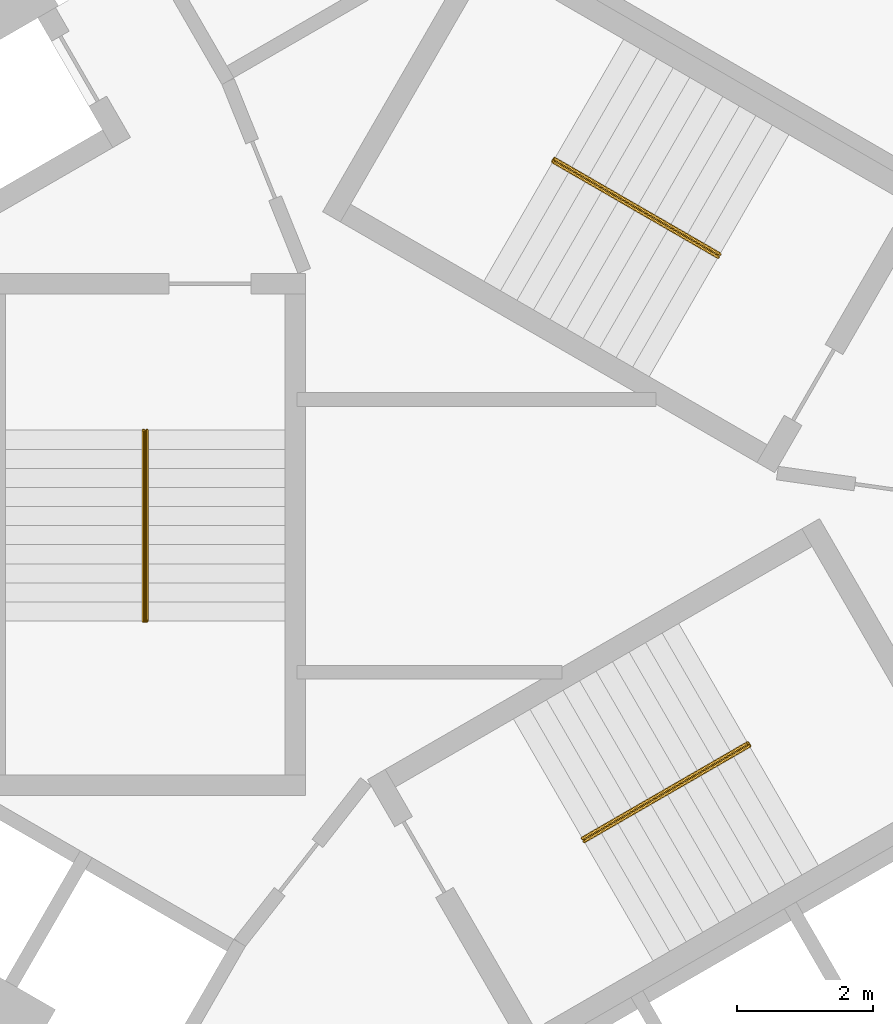
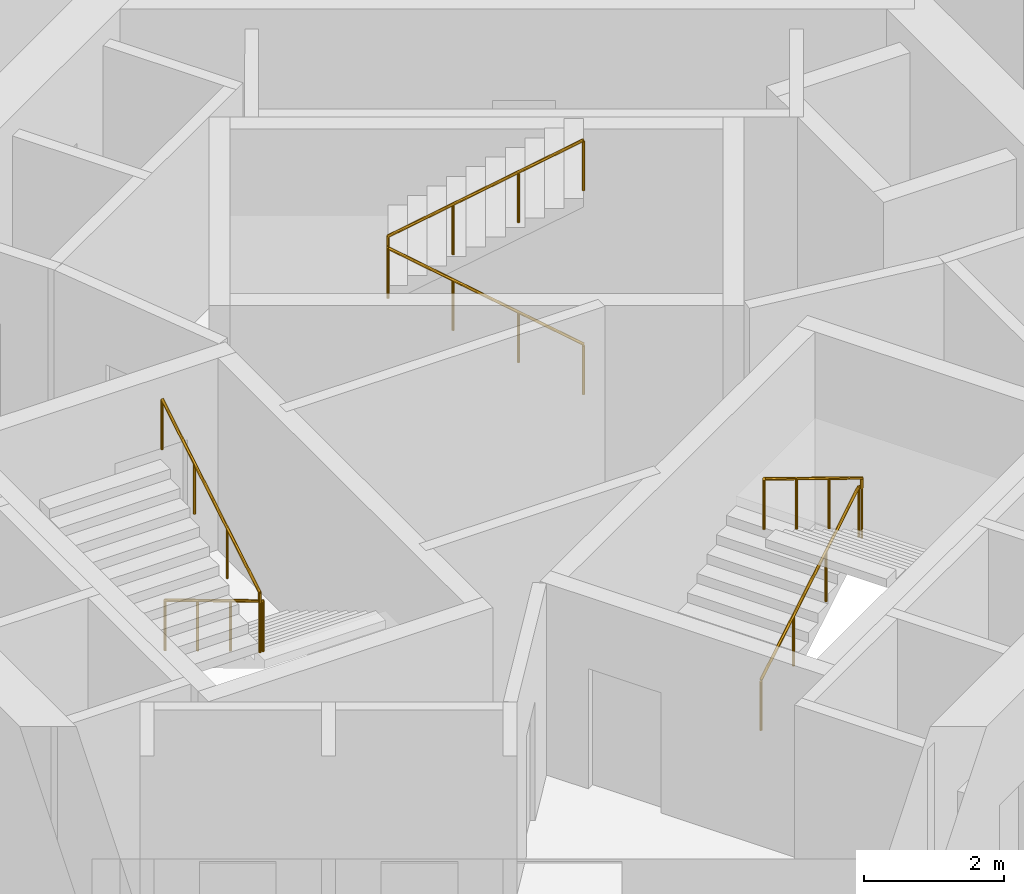
# One storey, part 11 of 11: 3 railings.
"""IFC4 building model written with IfcOpenShell, lengths in metres."""

from ifc_helpers import new_model, si_unit, direction, frame, origin, origin_2d, place, context, subcontext, project, spatial, circle, extrude, material, type_object, element, save


model = new_model("IFC4")

# Units and contexts
model_context = context("Model", 3, precision=1e-05, world=origin(), true_north=direction((0.0, 1.0)))
body_context = subcontext(model_context, "Body", "Model", "MODEL_VIEW")
ifc_project = project(units=[si_unit("LENGTHUNIT", "METRE"), si_unit("AREAUNIT", "SQUARE_METRE"), si_unit("VOLUMEUNIT", "CUBIC_METRE"), si_unit("PLANEANGLEUNIT", "RADIAN"), si_unit("MASSUNIT", "GRAM", prefix="KILO")], contexts=[model_context])

# Site, building, storey
site_placement = place(None, origin())
site = spatial("IfcSite", under=ifc_project, at=site_placement, CompositionType="ELEMENT")
building_placement = place(site_placement, origin())
building = spatial("IfcBuilding", under=site, at=building_placement, Name="Vanh Sen Convention Tower", CompositionType="ELEMENT")
storey_placement = place(building_placement, frame((0.0, 0.0, 274.60009765625)))
storey = spatial("IfcBuildingStorey", under=building, at=storey_placement, Name="L68", CompositionType="ELEMENT", Elevation=274.60009765625)

# Railings
ifc_material = material(Name="Stainless steel handrail", Category="steel")
railing_type = type_object("IfcRailingType", Name="Stair handrail 900", PredefinedType="HANDRAIL", material=ifc_material)
railing_1_placement = place(storey_placement, frame((3.45849609375, 3.690185546875, 0.168212890625)))
element("IfcRailing", 1, at=railing_1_placement, inside=storey, type_object=railing_type, Name="Stair handrail ST1 L68", PredefinedType="HANDRAIL", context=body_context, shape_type="SweptSolid", body=[
    extrude(circle(Radius=0.02392578125, at=origin_2d()), frame((0.0, 0.0, 0.8759765625), z_axis=(-0.74241905619, 0.428617687091, 0.514879426), x_axis=(-0.49998411664, -0.866034573852, 0.0)), (0.0, 0.0, 1.0), 3.26611328125),
    extrude(circle(Radius=0.02392578125, at=origin_2d()), frame((-2.4248046875, 1.39990234375, 2.5576171875), z_axis=(0.497188445666, 0.867642581652, 0.0), x_axis=(-0.867642581652, 0.497188445666, 0.0)), (0.0, 0.0, 1.0), 0.050048828125),
    extrude(circle(Radius=0.02392578125, at=origin_2d()), frame((-2.39990234375, 1.443359375, 2.5576171875), z_axis=(0.0, 0.0, 1.0), x_axis=(1.0, 0.0, 0.0)), (0.0, 0.0, 1.0), 0.168212890625),
    extrude(circle(Radius=0.02392578125, at=origin_2d()), frame((-2.39990234375, 1.443359375, 2.7255859375), z_axis=(0.742366697286, -0.42866220388, 0.514917859203), x_axis=(0.500049511043, 0.865996816683, 0.0)), (0.0, 0.0, 1.0), 3.266357421875),
    extrude(circle(Radius=0.02099609375, at=origin_2d()), origin(), (0.0, 0.0, 1.0), 0.851806640625),
    extrude(circle(Radius=0.02099609375, at=origin_2d()), frame((-0.808349609375, 0.466552734375, 0.560546875)), (0.0, 0.0, 1.0), 0.851806640625),
    extrude(circle(Radius=0.02099609375, at=origin_2d()), frame((-1.616455078125, 0.933349609375, 1.12109375)), (0.0, 0.0, 1.0), 0.851806640625),
    extrude(circle(Radius=0.02099609375, at=origin_2d()), frame((-2.4248046875, 1.39990234375, 1.681640625)), (0.0, 0.0, 1.0), 0.851806640625),
    extrude(circle(Radius=0.02099609375, at=origin_2d()), frame((-2.39990234375, 1.443359375, 1.681640625)), (0.0, 0.0, 1.0), 0.851806640625),
    extrude(circle(Radius=0.02099609375, at=origin_2d()), frame((-2.39990234375, 1.443359375, 1.849853515625)), (0.0, 0.0, 1.0), 0.851806640625),
    extrude(circle(Radius=0.02099609375, at=origin_2d()), frame((-1.591552734375, 0.9765625, 2.410400390625)), (0.0, 0.0, 1.0), 0.851806640625),
    extrude(circle(Radius=0.02099609375, at=origin_2d()), frame((-0.783447265625, 0.510009765625, 2.97119140625)), (0.0, 0.0, 1.0), 0.851806640625),
    extrude(circle(Radius=0.02099609375, at=origin_2d()), frame((0.02490234375, 0.043212890625, 3.53173828125)), (0.0, 0.0, 1.0), 0.851806640625),
])
railing_2_placement = place(storey_placement, frame((-4.925048828125, 1.14990234375, 0.168212890625)))
element("IfcRailing", 2, at=railing_2_placement, inside=storey, type_object=railing_type, Name="Stair handrail ST2 L68", PredefinedType="HANDRAIL", context=body_context, shape_type="SweptSolid", body=[
    extrude(circle(Radius=0.02392578125, at=origin_2d()), frame((0.0, 0.0, 0.8759765625), z_axis=(0.0, -0.857255387014, 0.514891446264), x_axis=(1.0, 0.0, 0.0)), (0.0, 0.0, 1.0), 3.26611328125),
    extrude(circle(Radius=0.02392578125, at=origin_2d()), frame((0.0, -2.7998046875, 2.5576171875), z_axis=(-1.0, 0.0, 0.0), x_axis=(0.0, -1.0, 0.0)), (0.0, 0.0, 1.0), 0.050048828125),
    extrude(circle(Radius=0.02392578125, at=origin_2d()), frame((-0.050048828125, -2.7998046875, 2.5576171875), z_axis=(0.0, 0.0, 1.0), x_axis=(1.0, 0.0, 0.0)), (0.0, 0.0, 1.0), 0.168212890625),
    extrude(circle(Radius=0.02392578125, at=origin_2d()), frame((-0.050048828125, -2.7998046875, 2.7255859375), z_axis=(0.0, 0.857222391501, 0.514946377315), x_axis=(-1.0, 0.0, 0.0)), (0.0, 0.0, 1.0), 3.26611328125),
    extrude(circle(Radius=0.02099609375, at=origin_2d()), origin(), (0.0, 0.0, 1.0), 0.851806640625),
    extrude(circle(Radius=0.02099609375, at=origin_2d()), frame((0.0, -0.933349609375, 0.560546875)), (0.0, 0.0, 1.0), 0.851806640625),
    extrude(circle(Radius=0.02099609375, at=origin_2d()), frame((0.0, -1.866455078125, 1.12109375)), (0.0, 0.0, 1.0), 0.851806640625),
    extrude(circle(Radius=0.02099609375, at=origin_2d()), frame((0.0, -2.7998046875, 1.681640625)), (0.0, 0.0, 1.0), 0.851806640625),
    extrude(circle(Radius=0.02099609375, at=origin_2d()), frame((-0.050048828125, -2.7998046875, 1.681640625)), (0.0, 0.0, 1.0), 0.851806640625),
    extrude(circle(Radius=0.02099609375, at=origin_2d()), frame((-0.050048828125, -2.7998046875, 1.849853515625)), (0.0, 0.0, 1.0), 0.851806640625),
    extrude(circle(Radius=0.02099609375, at=origin_2d()), frame((-0.050048828125, -1.866455078125, 2.410400390625)), (0.0, 0.0, 1.0), 0.851806640625),
    extrude(circle(Radius=0.02099609375, at=origin_2d()), frame((-0.050048828125, -0.933349609375, 2.97119140625)), (0.0, 0.0, 1.0), 0.851806640625),
    extrude(circle(Radius=0.02099609375, at=origin_2d()), frame((-0.050048828125, 0.0, 3.53173828125)), (0.0, 0.0, 1.0), 0.851806640625),
])
railing_3_placement = place(storey_placement, frame((1.466552734375, -4.840087890625, 0.168212890625)))
element("IfcRailing", 3, at=railing_3_placement, inside=storey, type_object=railing_type, Name="Stair handrail ST3 L68", PredefinedType="HANDRAIL", context=body_context, shape_type="SweptSolid", body=[
    extrude(circle(Radius=0.02392578125, at=origin_2d()), frame((0.0, 0.0, 0.8759765625), z_axis=(0.74241905619, 0.428617687091, 0.514879426), x_axis=(-0.49998411664, 0.866034573852, 0.0)), (0.0, 0.0, 1.0), 3.26611328125),
    extrude(circle(Radius=0.02392578125, at=origin_2d()), frame((2.4248046875, 1.39990234375, 2.5576171875), z_axis=(0.502959906984, -0.86430974307, 0.0), x_axis=(0.86430974307, 0.502959906984, 0.0)), (0.0, 0.0, 1.0), 0.050048828125),
    extrude(circle(Radius=0.02392578125, at=origin_2d()), frame((2.449951171875, 1.356689453125, 2.5576171875), z_axis=(0.0, 0.0, 1.0), x_axis=(1.0, 0.0, 0.0)), (0.0, 0.0, 1.0), 0.168212890625),
    extrude(circle(Radius=0.02392578125, at=origin_2d()), frame((2.449951171875, 1.356689453125, 2.7255859375), z_axis=(-0.742366697286, -0.42866220388, 0.514917859203), x_axis=(0.500049511043, -0.865996816683, 0.0)), (0.0, 0.0, 1.0), 3.266357421875),
    extrude(circle(Radius=0.02099609375, at=origin_2d()), origin(), (0.0, 0.0, 1.0), 0.851806640625),
    extrude(circle(Radius=0.02099609375, at=origin_2d()), frame((0.808349609375, 0.466552734375, 0.560546875)), (0.0, 0.0, 1.0), 0.851806640625),
    extrude(circle(Radius=0.02099609375, at=origin_2d()), frame((1.616455078125, 0.933349609375, 1.12109375)), (0.0, 0.0, 1.0), 0.851806640625),
    extrude(circle(Radius=0.02099609375, at=origin_2d()), frame((2.4248046875, 1.39990234375, 1.681640625)), (0.0, 0.0, 1.0), 0.851806640625),
    extrude(circle(Radius=0.02099609375, at=origin_2d()), frame((2.449951171875, 1.356689453125, 1.681640625)), (0.0, 0.0, 1.0), 0.851806640625),
    extrude(circle(Radius=0.02099609375, at=origin_2d()), frame((2.449951171875, 1.356689453125, 1.849853515625)), (0.0, 0.0, 1.0), 0.851806640625),
    extrude(circle(Radius=0.02099609375, at=origin_2d()), frame((1.6416015625, 0.889892578125, 2.410400390625)), (0.0, 0.0, 1.0), 0.851806640625),
    extrude(circle(Radius=0.02099609375, at=origin_2d()), frame((0.83349609375, 0.42333984375, 2.97119140625)), (0.0, 0.0, 1.0), 0.851806640625),
    extrude(circle(Radius=0.02099609375, at=origin_2d()), frame((0.025146484375, -0.04345703125, 3.53173828125)), (0.0, 0.0, 1.0), 0.851806640625),
])

save(model, "model.ifc")
